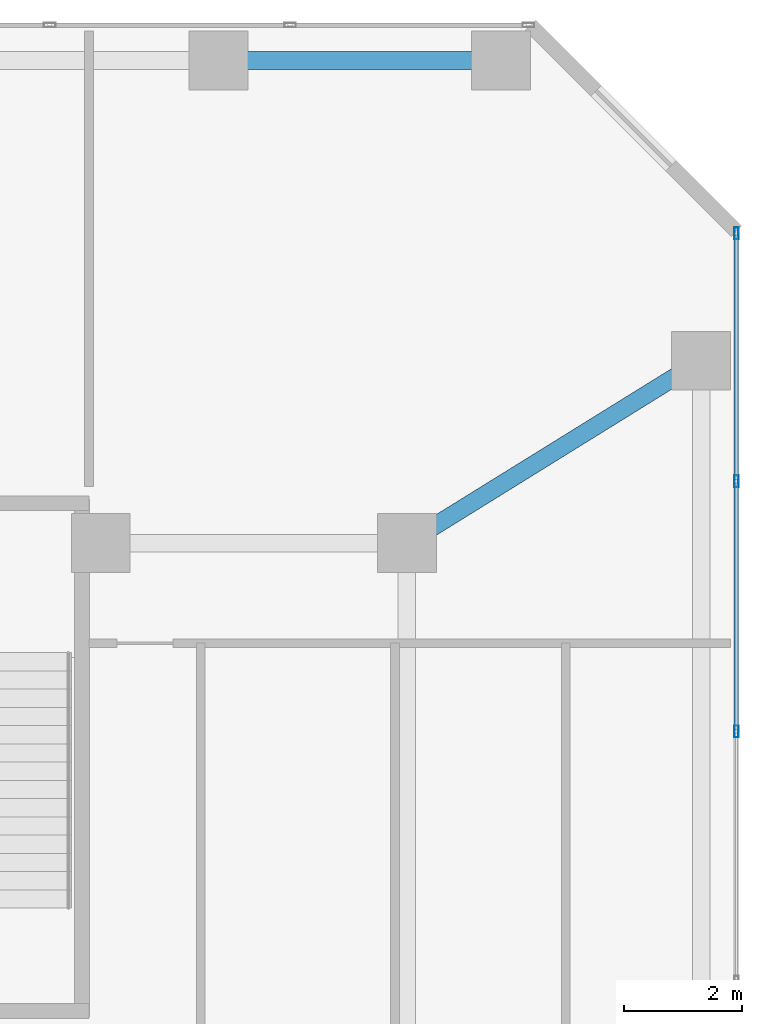
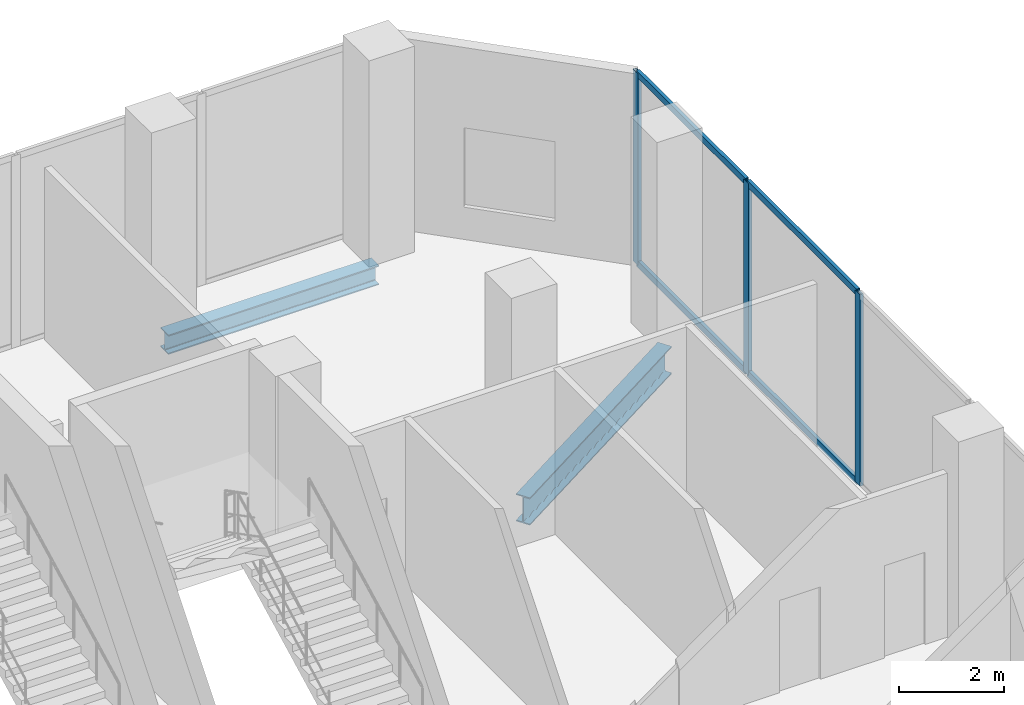
# One storey, part 17 of 24: 7 members, 2 beams, 1 element without a shape of its own.
"""IFC4 building model written with IfcOpenShell, lengths in metres."""

from ifc_helpers import new_model, si_unit, direction, frame, origin, origin_2d, place, context, subcontext, project, spatial, hollow_rectangle, i_section, extrude, material, layer, layer_set, material_profile, profile_set, type_object, element, aggregate, save


model = new_model("IFC4")

# Units and contexts
model_context = context("Model", 3, precision=1e-05, world=origin(), true_north=direction((0.0, 1.0)))
body_context = subcontext(model_context, "Body", "Model", "MODEL_VIEW")
ifc_project = project(units=[si_unit("LENGTHUNIT", "METRE"), si_unit("AREAUNIT", "SQUARE_METRE"), si_unit("VOLUMEUNIT", "CUBIC_METRE"), si_unit("PLANEANGLEUNIT", "RADIAN"), si_unit("MASSUNIT", "GRAM", prefix="KILO")], contexts=[model_context])

# Site, building, storey
site_placement = place(None, origin())
site = spatial("IfcSite", under=ifc_project, at=site_placement, CompositionType="ELEMENT")
building_placement = place(site_placement, origin())
building = spatial("IfcBuilding", under=site, at=building_placement, Name="Catumbela Crestline Tower", CompositionType="ELEMENT")
storey_placement = place(building_placement, frame((0.0, 0.0, 11.1)))
storey = spatial("IfcBuildingStorey", under=building, at=storey_placement, Name="L02", CompositionType="ELEMENT", Elevation=11.1)

# Beam
ifc_material_1 = material(Name="Structural steel S355J2", Category="steel")
ifc_material_profile_1 = material_profile(ifc_material_1, i_section(OverallWidth=0.3, OverallDepth=0.64, WebThickness=0.0135, FlangeThickness=0.026, FilletRadius=0.027, at=origin_2d()), Name="HEA 650")
ifc_profile_set_1 = profile_set([ifc_material_profile_1], Name="Structural steel S355J2")
beam_type_1 = type_object("IfcBeamType", Name="BG-HEA650", PredefinedType="BEAM", material=ifc_profile_set_1)
beam_1_placement = place(storey_placement, frame((50.468, 39.2422, -0.64), z_axis=(0.849908952007, 0.526929571479, 0.0), x_axis=(-0.526929571479, 0.849908952007, 0.0)))
element("IfcBeam", 1, at=beam_1_placement, inside=storey, type_object=beam_type_1, Name="L02 Beam BM-L02-N16", PredefinedType="BEAM", context=body_context, shape_type="SweptSolid", body=[
    extrude(i_section(OverallWidth=0.3, OverallDepth=0.64, WebThickness=0.0135, FlangeThickness=0.026, FilletRadius=0.027, at=origin_2d()), origin(), (0.0, 0.0, 1.0), 5.723),
])

# Curtain wall, members
ifc_material_2 = material(Name="Aluminium alloy AW-6060-T66", Category="aluminium")
ifc_layer = layer(ifc_material_2, 0.18, Name="Aluminium alloy AW-6060-T66")
ifc_layer_set = layer_set([ifc_layer], Name="Aluminium alloy AW-6060-T66")
curtain_wall_type = type_object("IfcCurtainWallType", Name="CWS-POD", PredefinedType="USERDEFINED", material=ifc_layer_set)
curtain_wall_placement = place(storey_placement, origin())
curtain_wall = element("IfcCurtainWall", 2, at=curtain_wall_placement, inside=storey, type_object=curtain_wall_type, Name="L02 Stick Curtain Wall CW-L02-E5S1", ObjectType="STICK", PredefinedType="USERDEFINED")
ifc_material_profile_2 = material_profile(ifc_material_2, hollow_rectangle(XDim=0.075, YDim=0.2, WallThickness=0.005, at=origin_2d()), Name="ALU 200x75x5")
ifc_profile_set_2 = profile_set([ifc_material_profile_2], Name="Aluminium alloy AW-6060-T66")
member_type_1 = type_object("IfcMemberType", Name="MUL-200X75", PredefinedType="MULLION", material=ifc_profile_set_2)
member_1_placement = place(storey_placement, frame((56.0, 36.0, 0.0), z_axis=(0.0, 0.0, 1.0), x_axis=(-1.0, 0.0, 0.0)))
member_1 = element("IfcMember", 3, at=member_1_placement, type_object=member_type_1, Name="CWS-POD mullion 3", PredefinedType="MULLION", context=body_context, shape_type="SweptSolid", body=[
    extrude(hollow_rectangle(XDim=0.075, YDim=0.2, WallThickness=0.005, at=origin_2d()), origin(), (0.0, 0.0, 1.0), 4.47),
])
member_2_placement = place(storey_placement, frame((56.0, 40.25, 0.0), z_axis=(0.0, 0.0, 1.0), x_axis=(-1.0, 0.0, 0.0)))
member_2 = element("IfcMember", 4, at=member_2_placement, type_object=member_type_1, Name="CWS-POD mullion 4", PredefinedType="MULLION", context=body_context, shape_type="SweptSolid", body=[
    extrude(hollow_rectangle(XDim=0.075, YDim=0.2, WallThickness=0.005, at=origin_2d()), origin(), (0.0, 0.0, 1.0), 4.47),
])
member_3_placement = place(storey_placement, frame((56.0, 44.4675, 0.0), z_axis=(0.0, 0.0, 1.0), x_axis=(-1.0, 0.0, 0.0)))
member_3 = element("IfcMember", 5, at=member_3_placement, type_object=member_type_1, Name="CWS-POD mullion 5", PredefinedType="MULLION", context=body_context, shape_type="SweptSolid", body=[
    extrude(hollow_rectangle(XDim=0.075, YDim=0.2, WallThickness=0.005, at=origin_2d()), origin(), (0.0, 0.0, 1.0), 4.47),
])

# Beam
ifc_material_profile_3 = material_profile(ifc_material_1, i_section(OverallWidth=0.3, OverallDepth=0.45, WebThickness=0.014, FlangeThickness=0.026, FilletRadius=0.027, at=origin_2d()), Name="HEB 450")
ifc_profile_set_3 = profile_set([ifc_material_profile_3], Name="Structural steel S355J2")
beam_type_2 = type_object("IfcBeamType", Name="BS-HEB450", PredefinedType="SPANDREL", material=ifc_profile_set_3)
beam_2_placement = place(storey_placement, frame((47.28, 47.4, -0.545), z_axis=(1.0, 0.0, 0.0), x_axis=(0.0, 1.0, 0.0)))
element("IfcBeam", 6, at=beam_2_placement, inside=storey, type_object=beam_type_2, Name="L02 Spandrel SP-L02-NF22", PredefinedType="SPANDREL", context=body_context, shape_type="SweptSolid", body=[
    extrude(i_section(OverallWidth=0.3, OverallDepth=0.45, WebThickness=0.014, FlangeThickness=0.026, FilletRadius=0.027, at=origin_2d()), origin(), (0.0, 0.0, 1.0), 4.64),
])

# Member
ifc_material_profile_4 = material_profile(ifc_material_2, hollow_rectangle(XDim=0.075, YDim=0.15, WallThickness=0.0045, at=origin_2d()), Name="ALU 150x75x4.5")
ifc_profile_set_4 = profile_set([ifc_material_profile_4], Name="Aluminium alloy AW-6060-T66")
member_type_2 = type_object("IfcMemberType", Name="TRN-150X75", PredefinedType="USERDEFINED", material=ifc_profile_set_4)
member_4_placement = place(storey_placement, frame((56.0, 36.0325, 0.03), z_axis=(0.0, 1.0, 0.0), x_axis=(-1.0, 0.0, 0.0)))
member_4 = element("IfcMember", 7, at=member_4_placement, type_object=member_type_2, Name="CWS-POD transom 3.1", ObjectType="TRANSOM", PredefinedType="USERDEFINED", context=body_context, shape_type="SweptSolid", body=[
    extrude(hollow_rectangle(XDim=0.075, YDim=0.15, WallThickness=0.0045, at=origin_2d()), origin(), (0.0, 0.0, 1.0), 4.185),
])

member_5_placement = place(storey_placement, frame((56.0, 36.0325, 4.44), z_axis=(0.0, 1.0, 0.0), x_axis=(-1.0, 0.0, 0.0)))
member_5 = element("IfcMember", 8, at=member_5_placement, type_object=member_type_2, Name="CWS-POD transom 3.2", ObjectType="TRANSOM", PredefinedType="USERDEFINED", context=body_context, shape_type="SweptSolid", body=[
    extrude(hollow_rectangle(XDim=0.075, YDim=0.15, WallThickness=0.0045, at=origin_2d()), origin(), (0.0, 0.0, 1.0), 4.185),
])

member_6_placement = place(storey_placement, frame((56.0, 40.2825, 0.03), z_axis=(0.0, 1.0, 0.0), x_axis=(-1.0, 0.0, 0.0)))
member_6 = element("IfcMember", 9, at=member_6_placement, type_object=member_type_2, Name="CWS-POD transom 4.1", ObjectType="TRANSOM", PredefinedType="USERDEFINED", context=body_context, shape_type="SweptSolid", body=[
    extrude(hollow_rectangle(XDim=0.075, YDim=0.15, WallThickness=0.0045, at=origin_2d()), origin(), (0.0, 0.0, 1.0), 4.1525),
])

member_7_placement = place(storey_placement, frame((56.0, 40.2825, 4.44), z_axis=(0.0, 1.0, 0.0), x_axis=(-1.0, 0.0, 0.0)))
member_7 = element("IfcMember", 10, at=member_7_placement, type_object=member_type_2, Name="CWS-POD transom 4.2", ObjectType="TRANSOM", PredefinedType="USERDEFINED", context=body_context, shape_type="SweptSolid", body=[
    extrude(hollow_rectangle(XDim=0.075, YDim=0.15, WallThickness=0.0045, at=origin_2d()), origin(), (0.0, 0.0, 1.0), 4.1525),
])

aggregate(curtain_wall, [member_1, member_2, member_3, member_4, member_5, member_6, member_7])

save(model, "model.ifc")
